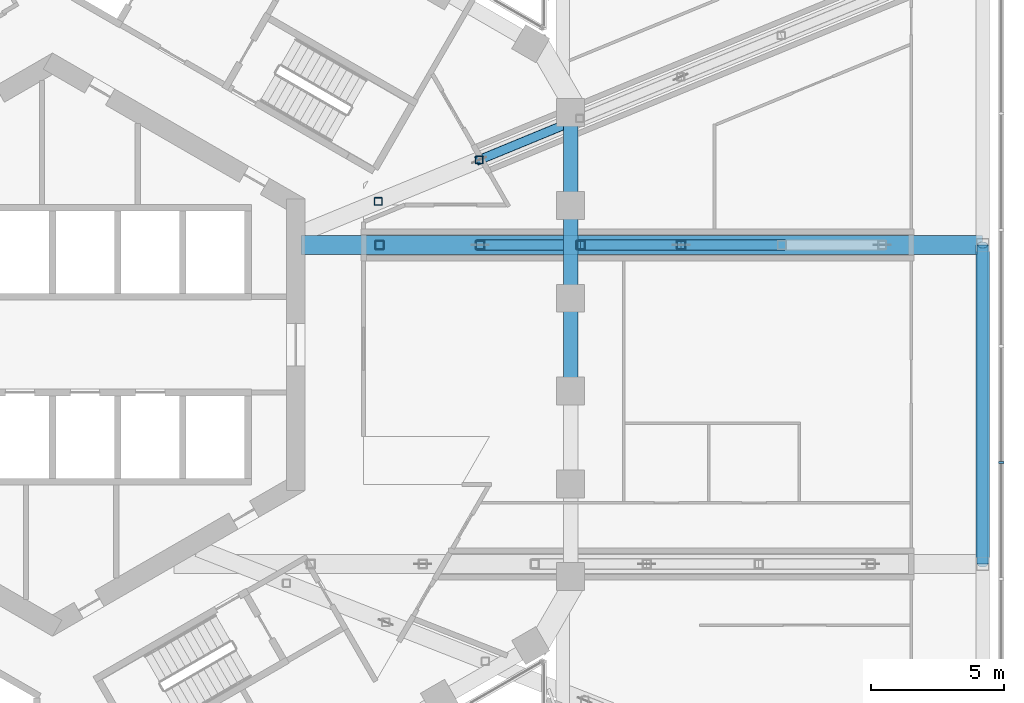
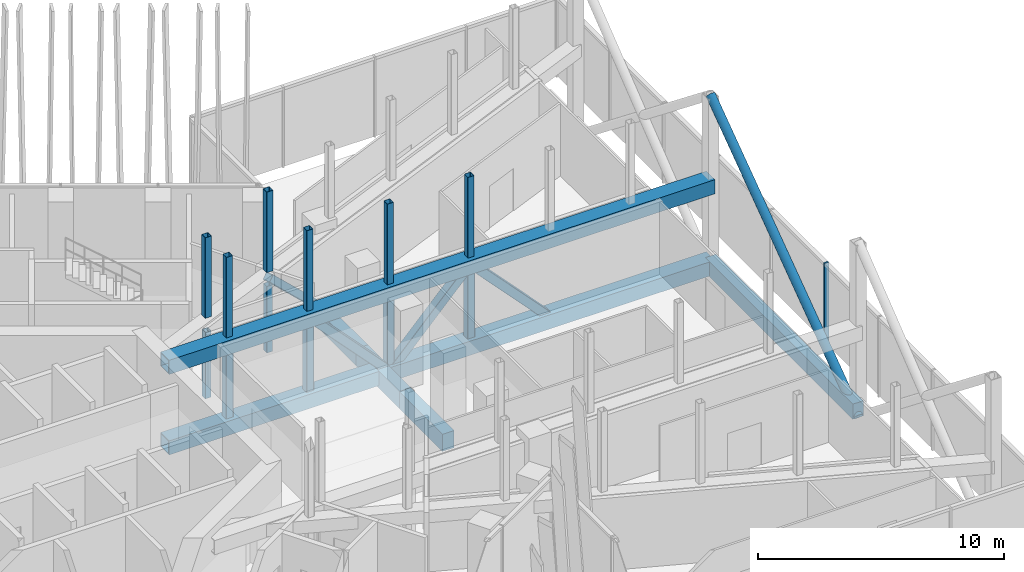
# One storey, part 6 of 28: 20 members, 4 beams, 1 element without a shape of its own.
"""IFC4 building model written with IfcOpenShell, lengths in metres."""

from ifc_helpers import new_model, si_unit, direction, frame, origin, origin_2d, place, context, subcontext, project, spatial, rectangle, hollow_rectangle, hollow_circle, extrude, material, layer, layer_set, material_profile, profile_set, type_object, element, aggregate, save


model = new_model("IFC4")

# Units and contexts
model_context = context("Model", 3, precision=1e-05, world=origin(), true_north=direction((0.0, 1.0)))
body_context = subcontext(model_context, "Body", "Model", "MODEL_VIEW")
ifc_project = project(units=[si_unit("LENGTHUNIT", "METRE"), si_unit("AREAUNIT", "SQUARE_METRE"), si_unit("VOLUMEUNIT", "CUBIC_METRE"), si_unit("PLANEANGLEUNIT", "RADIAN"), si_unit("MASSUNIT", "GRAM", prefix="KILO")], contexts=[model_context])

# Site, building, storey
site_placement = place(None, origin())
site = spatial("IfcSite", under=ifc_project, at=site_placement, CompositionType="ELEMENT")
building_placement = place(site_placement, origin())
building = spatial("IfcBuilding", under=site, at=building_placement, Name="Ayvan Gate Tower", CompositionType="ELEMENT")
storey_placement = place(building_placement, frame((0.0, 0.0, 120.5)))
storey = spatial("IfcBuildingStorey", under=building, at=storey_placement, Name="L32", CompositionType="ELEMENT", Elevation=120.5)

# Beam
ifc_material_1 = material(Name="Concrete C40/50", Category="concrete")
ifc_material_profile_1 = material_profile(ifc_material_1, rectangle(XDim=0.5, YDim=0.75, at=origin_2d()), Name="RC 500x750")
ifc_profile_set_1 = profile_set([ifc_material_profile_1], Name="Concrete C40/50")
beam_type_1 = type_object("IfcBeamType", Name="Sky bar edge beam RC 500x750 C40/50", PredefinedType="BEAM", material=ifc_profile_set_1)
beam_1_placement = place(storey_placement, frame((34.985595703125, 3.75, -0.77490234375), z_axis=(0.0, -1.0, 0.0), x_axis=(1.0, 0.0, 0.0)))
element("IfcBeam", 1, at=beam_1_placement, inside=storey, type_object=beam_type_1, Name="EB-B2-L32-5", PredefinedType="BEAM", context=body_context, shape_type="SweptSolid", body=[
    extrude(rectangle(XDim=0.5, YDim=0.75, at=origin_2d()), origin(), (0.0, 0.0, 1.0), 12.0),
])

# Members
ifc_material_2 = material(Name="Steel S460NH", Category="steel")
ifc_material_profile_2 = material_profile(ifc_material_2, hollow_rectangle(XDim=0.35009765625, YDim=0.35009765625, WallThickness=0.012451171875, InnerFilletRadius=0.012451171875, OuterFilletRadius=0.018798828125, at=origin_2d()), Name="RHS 350x350x12.5")
ifc_profile_set_2 = profile_set([ifc_material_profile_2], Name="Steel S460NH")
member_type_1 = type_object("IfcMemberType", Name="Sky bar end truss brace B2 RHS 350x350x12.5", PredefinedType="BRACE", material=ifc_profile_set_2)
member_1_placement = place(storey_placement, frame((16.043212890625, 6.94580078125, 3.25), z_axis=(0.661621041112, 0.27257013248, -0.69854357118), x_axis=(-0.380914622219, 0.924610215485, 0.0)))
element("IfcMember", 2, at=member_1_placement, inside=storey, type_object=member_type_1, Name="SBT2-4-D-3", PredefinedType="BRACE", context=body_context, shape_type="SweptSolid", body=[
    extrude(hollow_rectangle(XDim=0.35009765625, YDim=0.35009765625, WallThickness=0.012451171875, InnerFilletRadius=0.012451171875, OuterFilletRadius=0.018798828125, at=origin_2d()), origin(), (0.0, 0.0, 1.0), 5.726318359375),
])
ifc_material_profile_3 = material_profile(ifc_material_2, hollow_rectangle(XDim=0.280029296875, YDim=0.280029296875, WallThickness=0.012451171875, InnerFilletRadius=0.012451171875, OuterFilletRadius=0.018798828125, at=origin_2d()), Name="RHS 280x280x12.5")
ifc_profile_set_3 = profile_set([ifc_material_profile_3], Name="Steel S460NH")
member_type_2 = type_object("IfcMemberType", Name="Sky bar end truss post B2 RHS 280x280x12.5", PredefinedType="POST", material=ifc_profile_set_3)
for number, where, z_axis, x_axis, name in (
    (3, (12.2548828125, 5.385009765625, -0.39990234375), (0.0, 0.0, 1.0), (1.0, 0.0, 0.0), "SBT2-4-P-1"),
    (4, (16.043212890625, 6.94580078125, -0.39990234375), (0.0, 0.0, 1.0), (1.0, 0.0, 0.0), "SBT2-4-P-2"),
):
    element("IfcMember", number, at=place(storey_placement, frame(where, z_axis=z_axis, x_axis=x_axis)), inside=storey, type_object=member_type_2, Name=name, PredefinedType="POST", context=body_context, shape_type="SweptSolid", body=[
        extrude(hollow_rectangle(XDim=0.280029296875, YDim=0.280029296875, WallThickness=0.012451171875, InnerFilletRadius=0.012451171875, OuterFilletRadius=0.018798828125, at=origin_2d()), origin(), (0.0, 0.0, 1.0), 3.2998046875),
    ])
ifc_material_profile_4 = material_profile(ifc_material_2, hollow_circle(Radius=0.203125, WallThickness=0.01611328125, at=origin_2d()), Name="CHS 406.4x16")
ifc_profile_set_4 = profile_set([ifc_material_profile_4], Name="Steel S460NH")
member_type_3 = type_object("IfcMemberType", Name="Sky bar exoskeleton brace CHS 406.4x16", PredefinedType="BRACE", material=ifc_profile_set_4)
member_2_placement = place(storey_placement, frame((34.985595703125, -8.25, -1.10009765625), z_axis=(0.0, 0.809604181367, 0.586976208643), x_axis=(-1.0, 0.0, 0.0)))
element("IfcMember", 5, at=member_2_placement, inside=storey, type_object=member_type_3, Name="EXO-B2-D2A", PredefinedType="BRACE", context=body_context, shape_type="SweptSolid", body=[
    extrude(hollow_circle(Radius=0.203125, WallThickness=0.01611328125, at=origin_2d()), origin(), (0.0, 0.0, 1.0), 14.822021484375),
])
ifc_material_profile_5 = material_profile(ifc_material_2, hollow_rectangle(XDim=0.39990234375, YDim=0.39990234375, WallThickness=0.01611328125, InnerFilletRadius=0.01611328125, OuterFilletRadius=0.02392578125, at=origin_2d()), Name="RHS 400x400x16")
ifc_profile_set_5 = profile_set([ifc_material_profile_5], Name="Steel S460NH")
member_type_4 = type_object("IfcMemberType", Name="Sky bar truss brace B2 RHS 400x400x16", PredefinedType="BRACE", material=ifc_profile_set_5)
for number, where, z_axis, x_axis, name in (
    (6, (16.080810546875, 3.75, 3.25), (0.686933452464, 0.0, -0.726720325769), (0.0, 1.0, 0.0), "SBT2-3-D-3"),
    (7, (19.86181640625, 3.75, -0.75), (0.686933452464, 0.0, 0.726720325769), (0.0, 1.0, 0.0), "SBT2-3-D-4"),
    (8, (23.642822265625, 3.75, 3.25), (0.686933452464, 0.0, -0.726720325769), (0.0, 1.0, 0.0), "SBT2-3-D-5"),
):
    element("IfcMember", number, at=place(storey_placement, frame(where, z_axis=z_axis, x_axis=x_axis)), inside=storey, type_object=member_type_4, Name=name, PredefinedType="BRACE", context=body_context, shape_type="SweptSolid", body=[
        extrude(hollow_rectangle(XDim=0.39990234375, YDim=0.39990234375, WallThickness=0.01611328125, InnerFilletRadius=0.01611328125, OuterFilletRadius=0.02392578125, at=origin_2d()), origin(), (0.0, 0.0, 1.0), 5.504150390625),
    ])
ifc_material_3 = material(Name="Steel S460ML", Category="steel")
ifc_material_profile_6 = material_profile(ifc_material_3, hollow_rectangle(XDim=0.699951171875, YDim=0.699951171875, WallThickness=0.0400390625, at=origin_2d()), Name="BOX 700x700x40")
ifc_profile_set_6 = profile_set([ifc_material_profile_6], Name="Steel S460ML")
member_type_5 = type_object("IfcMemberType", Name="Sky bar truss chord B2 BOX 700x700x40", PredefinedType="CHORD", material=ifc_profile_set_6)
for number, where, z_axis, x_axis, name in (
    (9, (9.35009765625, 3.75, -0.75), (1.0, 0.0, 0.0), (0.0, 1.0, 0.0), "SBT2-3-BC-1"),
    (10, (9.35009765625, 3.75, 3.25), (1.0, 0.0, 0.0), (0.0, 1.0, 0.0), "SBT2-3-TC-1"),
):
    element("IfcMember", number, at=place(storey_placement, frame(where, z_axis=z_axis, x_axis=x_axis)), inside=storey, type_object=member_type_5, Name=name, PredefinedType="CHORD", context=body_context, shape_type="SweptSolid", body=[
        extrude(hollow_rectangle(XDim=0.699951171875, YDim=0.699951171875, WallThickness=0.0400390625, at=origin_2d()), origin(), (0.0, 0.0, 1.0), 25.635498046875),
    ])
ifc_material_profile_7 = material_profile(ifc_material_2, hollow_rectangle(XDim=0.35009765625, YDim=0.35009765625, WallThickness=0.01611328125, InnerFilletRadius=0.01611328125, OuterFilletRadius=0.02392578125, at=origin_2d()), Name="RHS 350x350x16")
ifc_profile_set_7 = profile_set([ifc_material_profile_7], Name="Steel S460NH")
member_type_6 = type_object("IfcMemberType", Name="Sky bar truss post B2 RHS 350x350x16", PredefinedType="POST", material=ifc_profile_set_7)
for number, where, z_axis, x_axis, name in (
    (11, (12.300048828125, 3.75, -0.39990234375), (0.0, 0.0, 1.0), (1.0, 0.0, 0.0), "SBT2-3-P-1"),
    (12, (16.080810546875, 3.75, -0.39990234375), (0.0, 0.0, 1.0), (1.0, 0.0, 0.0), "SBT2-3-P-2"),
    (13, (19.86181640625, 3.75, -0.39990234375), (0.0, 0.0, 1.0), (1.0, 0.0, 0.0), "SBT2-3-P-3"),
    (14, (23.642822265625, 3.75, -0.39990234375), (0.0, 0.0, 1.0), (1.0, 0.0, 0.0), "SBT2-3-P-4"),
):
    element("IfcMember", number, at=place(storey_placement, frame(where, z_axis=z_axis, x_axis=x_axis)), inside=storey, type_object=member_type_6, Name=name, PredefinedType="POST", context=body_context, shape_type="SweptSolid", body=[
        extrude(hollow_rectangle(XDim=0.35009765625, YDim=0.35009765625, WallThickness=0.01611328125, InnerFilletRadius=0.01611328125, OuterFilletRadius=0.02392578125, at=origin_2d()), origin(), (0.0, 0.0, 1.0), 3.2998046875),
    ])
ifc_material_profile_8 = material_profile(ifc_material_2, hollow_rectangle(XDim=0.300048828125, YDim=0.300048828125, WallThickness=0.012451171875, InnerFilletRadius=0.012451171875, OuterFilletRadius=0.018798828125, at=origin_2d()), Name="RHS 300x300x12.5")
ifc_profile_set_8 = profile_set([ifc_material_profile_8], Name="Steel S460NH")
member_type_7 = type_object("IfcMemberType", Name="Sky bar upper post B2 RHS 300x300x12.5", PredefinedType="POST", material=ifc_profile_set_8)
for number, where, z_axis, x_axis, name in (
    (15, (12.300048828125, 3.75, 3.60009765625), (0.0, 0.0, 1.0), (1.0, 0.0, 0.0), "SBT2-3-U-1"),
    (16, (16.080810546875, 3.75, 3.60009765625), (0.0, 0.0, 1.0), (1.0, 0.0, 0.0), "SBT2-3-U-2"),
    (17, (19.86181640625, 3.75, 3.60009765625), (0.0, 0.0, 1.0), (1.0, 0.0, 0.0), "SBT2-3-U-3"),
    (18, (23.642822265625, 3.75, 3.60009765625), (0.0, 0.0, 1.0), (1.0, 0.0, 0.0), "SBT2-3-U-4"),
    (19, (12.2548828125, 5.385009765625, 3.60009765625), (0.0, 0.0, 1.0), (1.0, 0.0, 0.0), "SBT2-4-U-1"),
    (20, (16.043212890625, 6.94580078125, 3.60009765625), (0.0, 0.0, 1.0), (1.0, 0.0, 0.0), "SBT2-4-U-2"),
):
    element("IfcMember", number, at=place(storey_placement, frame(where, z_axis=z_axis, x_axis=x_axis)), inside=storey, type_object=member_type_7, Name=name, PredefinedType="POST", context=body_context, shape_type="SweptSolid", body=[
        extrude(hollow_rectangle(XDim=0.300048828125, YDim=0.300048828125, WallThickness=0.012451171875, InnerFilletRadius=0.012451171875, OuterFilletRadius=0.018798828125, at=origin_2d()), origin(), (0.0, 0.0, 1.0), 4.0),
    ])

# Beams
ifc_material_profile_9 = material_profile(ifc_material_1, rectangle(XDim=0.550048828125, YDim=0.85009765625, at=origin_2d()), Name="RC 550x850")
ifc_profile_set_9 = profile_set([ifc_material_profile_9], Name="Concrete C40/50")
beam_type_2 = type_object("IfcBeamType", Name="Spandrel beam RC 550x850 C40/50", PredefinedType="BEAM", material=ifc_profile_set_9)
beam_2_placement = place(storey_placement, frame((19.485595703125, -1.756103515625, -0.824951171875), z_axis=(0.0, 1.0, 0.0), x_axis=(-1.0, 0.0, 0.0)))
element("IfcBeam", 21, at=beam_2_placement, inside=storey, type_object=beam_type_2, Name="SB-L32-3", PredefinedType="BEAM", context=body_context, shape_type="SweptSolid", body=[
    extrude(rectangle(XDim=0.550048828125, YDim=0.85009765625, at=origin_2d()), origin(), (0.0, 0.0, 1.0), 3.51220703125),
])
beam_3_placement = place(storey_placement, frame((19.485595703125, 1.756103515625, -0.824951171875), z_axis=(0.0, 1.0, 0.0), x_axis=(-1.0, 0.0, 0.0)))
element("IfcBeam", 22, at=beam_3_placement, inside=storey, type_object=beam_type_2, Name="SB-L32-4", PredefinedType="BEAM", context=body_context, shape_type="SweptSolid", body=[
    extrude(rectangle(XDim=0.550048828125, YDim=0.85009765625, at=origin_2d()), origin(), (0.0, 0.0, 1.0), 3.512451171875),
])
beam_4_placement = place(storey_placement, frame((19.485595703125, 5.2685546875, -0.824951171875), z_axis=(0.0, 1.0, 0.0), x_axis=(-1.0, 0.0, 0.0)))
element("IfcBeam", 23, at=beam_4_placement, inside=storey, type_object=beam_type_2, Name="SB-L32-5", PredefinedType="BEAM", context=body_context, shape_type="SweptSolid", body=[
    extrude(rectangle(XDim=0.550048828125, YDim=0.85009765625, at=origin_2d()), origin(), (0.0, 0.0, 1.0), 3.51220703125),
])

# Curtain wall, member
ifc_material_4 = material(Name="Bronze anodised aluminium", Category="aluminium")
ifc_layer = layer(ifc_material_4, 0.199951171875)
ifc_layer_set = layer_set([ifc_layer], Name="Bronze anodised aluminium")
curtain_wall_type = type_object("IfcCurtainWallType", Name="Stick curtain wall CW-4", PredefinedType="NOTDEFINED", material=ifc_layer_set)
curtain_wall_placement = place(storey_placement, origin())
curtain_wall = element("IfcCurtainWall", 24, at=curtain_wall_placement, inside=storey, type_object=curtain_wall_type, Name="Stick curtain wall CW-4 L32", PredefinedType="NOTDEFINED")
ifc_material_profile_10 = material_profile(ifc_material_4, rectangle(XDim=0.199951171875, YDim=0.080078125, at=origin_2d()), Name="Stick curtain wall CW-4 mullion 200 x 80")
ifc_profile_set_10 = profile_set([ifc_material_profile_10], Name="Bronze anodised aluminium")
member_type_8 = type_object("IfcMemberType", Name="Stick curtain wall CW-4 mullion 200 x 80", PredefinedType="MULLION", material=ifc_profile_set_10)
member_3_placement = place(storey_placement, frame((35.685546875, -4.43896484375, 0.0), z_axis=(0.0, 0.0, 1.0), x_axis=(1.0, 0.0, 0.0)))
member_3 = element("IfcMember", 25, at=member_3_placement, type_object=member_type_8, Name="CW-4 mullion 5", PredefinedType="MULLION", context=body_context, shape_type="SweptSolid", body=[
    extrude(rectangle(XDim=0.199951171875, YDim=0.080078125, at=origin_2d()), origin(), (0.0, 0.0, 1.0), 4.0),
])
aggregate(curtain_wall, [member_3])

save(model, "model.ifc")
